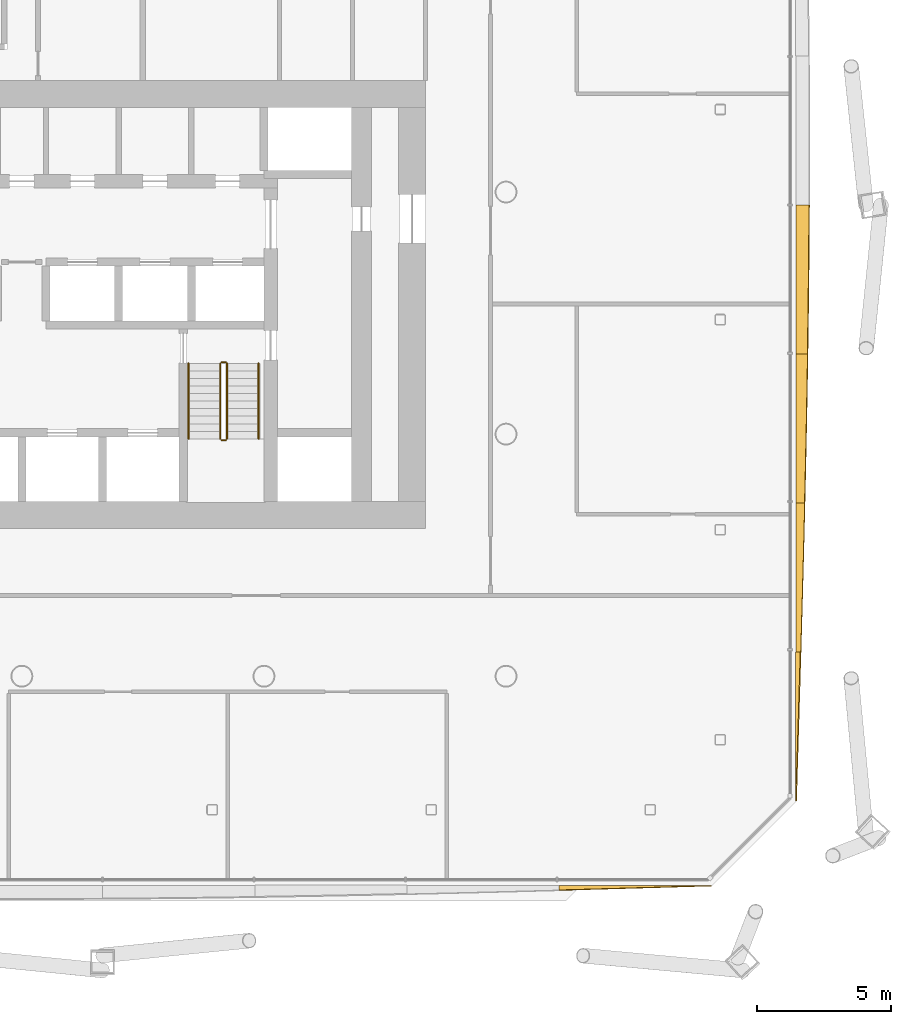
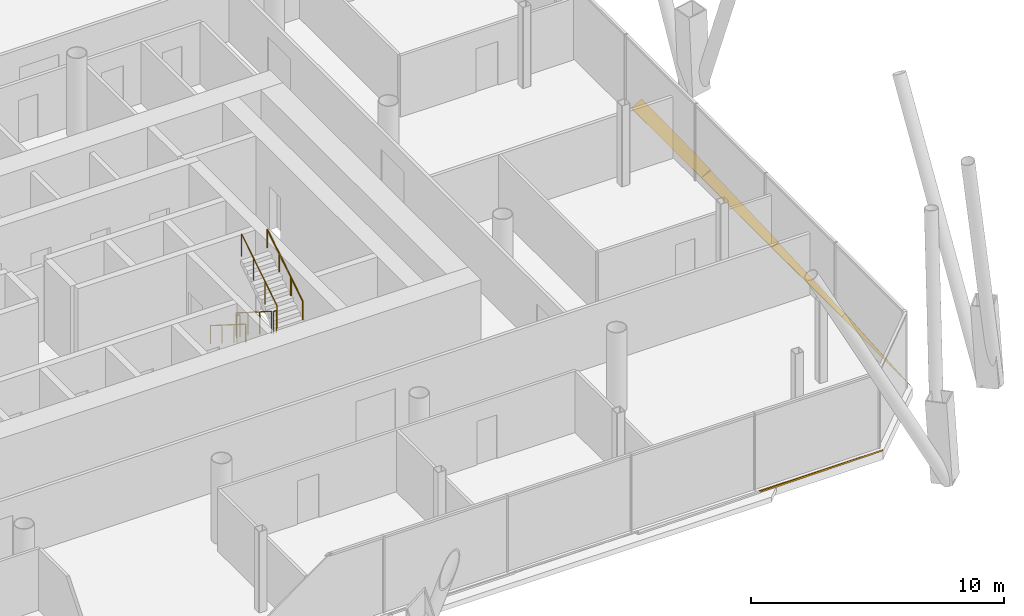
# One storey, part 19 of 23: 6 railings, 5 shading devices.
"""IFC4 building model written with IfcOpenShell, lengths in metres."""

from ifc_helpers import new_model, si_unit, direction, frame, origin, origin_2d, place, context, subcontext, project, spatial, polyline, circle, outline, extrude, material, layer, layer_set, type_object, element, save


model = new_model("IFC4")

# Units and contexts
model_context = context("Model", 3, precision=1e-05, world=origin(), true_north=direction((0.0, 1.0)))
body_context = subcontext(model_context, "Body", "Model", "MODEL_VIEW")
ifc_project = project(units=[si_unit("LENGTHUNIT", "METRE"), si_unit("AREAUNIT", "SQUARE_METRE"), si_unit("VOLUMEUNIT", "CUBIC_METRE"), si_unit("PLANEANGLEUNIT", "RADIAN"), si_unit("MASSUNIT", "GRAM", prefix="KILO")], contexts=[model_context])

# Site, building, storey
site_placement = place(None, origin())
site = spatial("IfcSite", under=ifc_project, at=site_placement, CompositionType="ELEMENT")
building_placement = place(site_placement, origin())
building = spatial("IfcBuilding", under=site, at=building_placement, Name="Tskaro Facet Tower", CompositionType="ELEMENT")
storey_placement = place(building_placement, frame((0.0, 0.0, 62.10009765625)))
storey = spatial("IfcBuildingStorey", under=building, at=storey_placement, Name="L14", CompositionType="ELEMENT", Elevation=62.10009765625)

# Shading devices
ifc_material_1 = material(Name="Bronze anodised aluminium 6063-T6", Category="aluminium")
ifc_layer = layer(ifc_material_1, 0.06005859375, Name="Bronze anodised aluminium 6063-T6")
ifc_layer_set = layer_set([ifc_layer], Name="Bronze anodised aluminium 6063-T6")
shading_device_type = type_object("IfcShadingDeviceType", Name="Bronze sun blade (FN1)", PredefinedType="USERDEFINED", material=ifc_layer_set)
shading_device_1_placement = place(storey_placement, frame((19.976318359375, -25.78369140625, 0.05419921875), z_axis=(1.750533e-06, 0.422978036947, 0.906139934148), x_axis=(0.999999999998, -7.40437e-07, -1.586228e-06)))
element("IfcShadingDevice", 1, at=shading_device_1_placement, inside=storey, type_object=shading_device_type, Name="Fin blade south 8", ObjectType="FIN", PredefinedType="USERDEFINED", context=body_context, shape_type="SweptSolid", body=[
    extrude(outline(polyline([(0.0, 0.0), (5.6586914062413305, 0.0), (4.951416015311651, -0.022713592760361036), (4.243896484325004, -0.04554514496828096), (3.536621093782589, -0.06815547160634026), (2.829345703240172, -0.09076579824439958), (2.1220703125169846, -0.11315489931259826), (1.4145507813752893, -0.1352195086886346), (0.7072753906778229, -0.15706289249481034), (-1.964351925393242e-11, -0.17890627630098604), (0.0, 0.0)])), origin(), (0.0, 0.0, -1.0), 0.06005859375),
])
shading_device_2_placement = place(storey_placement, frame((28.7705078125, -22.635009765625, 0.0458984375), z_axis=(-0.642853814851, 1.369054e-06, 0.765988885513), x_axis=(8.80102e-07, 0.999999999999, -1.04868e-06)))
element("IfcShadingDevice", 2, at=shading_device_2_placement, inside=storey, type_object=shading_device_type, Name="Fin blade east 1", ObjectType="FIN", PredefinedType="USERDEFINED", context=body_context, shape_type="SweptSolid", body=[
    extrude(outline(polyline([(0.0, 0.0), (5.5390624999948095, 0.0), (5.539062500006303, -0.21800158384186755), (4.846679687338617, -0.1916505118881543), (4.154296874968113, -0.16479853746490555), (3.461914062597608, -0.1379465630416568), (2.769531250053393, -0.1105636238757618), (2.077148437509177, -0.08318068470986678), (1.384765625006118, -0.05545378980657786), (0.692382812503059, -0.02772689490328893), (0.0, 0.0)])), origin(), (0.0, 0.0, -1.0), 0.06005859375),
])
shading_device_3_placement = place(storey_placement, frame((28.78857421875, -17.095947265625, 0.056396484375), z_axis=(-0.341738316815, -6.056952e-06, 0.939795149372), x_axis=(-2.069893e-06, 0.999999999982, 5.692294e-06)))
element("IfcShadingDevice", 3, at=shading_device_3_placement, inside=storey, type_object=shading_device_type, Name="Fin blade east 2", ObjectType="FIN", PredefinedType="USERDEFINED", context=body_context, shape_type="SweptSolid", body=[
    extrude(outline(polyline([(0.0, 0.0), (5.539306640523391, 0.0), (5.539306641038962, -0.3341089097625347), (4.846923828172108, -0.31642103669636706), (4.154296874301227, -0.2981908470736564), (3.461914062571378, -0.2792723309255139), (2.7695312504624967, -0.25981149822082833), (2.0771484374692406, -0.2400377911347436), (1.384765624602299, -0.2194923253169719), (0.6923828122407022, -0.1987174173240563), (3.8445008828868247e-10, -0.1777130671559967), (0.0, 0.0)])), origin(), (0.0, 0.0, -1.0), 0.06005859375),
])
shading_device_4_placement = place(storey_placement, frame((28.78369140625, -11.556640625, 0.05419921875), z_axis=(-0.422932185598, -6.188665e-06, 0.906161335716), x_axis=(-2.617386e-06, 0.999999999981, 5.607929e-06)))
element("IfcShadingDevice", 4, at=shading_device_4_placement, inside=storey, type_object=shading_device_type, Name="Fin blade east 3", ObjectType="FIN", PredefinedType="USERDEFINED", context=body_context, shape_type="SweptSolid", body=[
    extrude(outline(polyline([(0.0, 0.0), (5.539062499893928, 2.3458842172003865e-21), (5.539062499562145, -0.4676931516539106), (4.846679687718282, -0.45534818159984025), (4.1542968750532046, -0.4421330093049464), (3.4619140629360325, -0.42815088969735554), (2.7695312499976454, -0.41329856784894126), (2.077148437607165, -0.39767929868783), (1.384765625125582, -0.3815143130088786), (0.6923828118227827, -0.36447912508910374), (-9.32109448984395e-10, -0.34667698985663187), (0.0, 0.0)])), origin(), (0.0, 0.0, -1.0), 0.06005859375),
])
shading_device_5_placement = place(storey_placement, frame((28.779052734375, -6.017578125, 0.0517578125), z_axis=(-0.500216070902, 7.222886e-06, 0.865900619216), x_axis=(3.613004e-06, 0.999999999974, -6.254302e-06)))
element("IfcShadingDevice", 5, at=shading_device_5_placement, inside=storey, type_object=shading_device_type, Name="Fin blade east 4", ObjectType="FIN", PredefinedType="USERDEFINED", context=body_context, shape_type="SweptSolid", body=[
    extrude(outline(polyline([(0.0, 0.0), (5.539062499855514, -2.3458842172003865e-21), (5.539062500213831, -0.5579502672191612), (4.846679687123724, -0.5529238092466391), (4.154296875086081, -0.5466853760080768), (3.461914061929125, -0.5396906151502194), (2.769531250706713, -0.531695280544691), (2.0771484366008246, -0.5225208152831297), (1.3847656253115623, -0.5125571777922661), (0.6923828126657527, -0.5012922865811815), (-2.1728964462738093e-10, -0.48948246926917105), (0.0, 0.0)])), origin(), (0.0, 0.0, -1.0), 0.06005859375),
])

# Railings
ifc_material_2 = material(Name="Stainless steel", Category="steel")
railing_type_1 = type_object("IfcRailingType", Name="RL-GUARD-1100", PredefinedType="GUARDRAIL", material=ifc_material_2)
railing_1_placement = place(storey_placement, frame((7.375, -6.375, 0.17724609375)))
element("IfcRailing", 6, at=railing_1_placement, inside=storey, type_object=railing_type_1, Name="L14 ST-2 stair guard 1", PredefinedType="GUARDRAIL", context=body_context, shape_type="SweptSolid", body=[
    extrude(circle(Radius=0.02392578125, at=origin_2d()), frame((0.0, 0.0, 1.076171875), z_axis=(0.0, -0.844908973607, 0.534910110503), x_axis=(1.0, 0.0, 0.0)), (0.0, 0.0, 1.0), 3.31396484375),
    extrude(circle(Radius=0.02099609375, at=origin_2d()), origin(), (0.0, 0.0, 1.0), 1.052001953125),
    extrude(circle(Radius=0.02099609375, at=origin_2d()), frame((0.0, -0.933349609375, 0.5908203125)), (0.0, 0.0, 1.0), 1.052001953125),
    extrude(circle(Radius=0.02099609375, at=origin_2d()), frame((0.0, -1.86669921875, 1.181884765625)), (0.0, 0.0, 1.0), 1.052001953125),
    extrude(circle(Radius=0.02099609375, at=origin_2d()), frame((0.0, -2.800048828125, 1.772705078125)), (0.0, 0.0, 1.0), 1.052001953125),
])
railing_2_placement = place(storey_placement, frame((7.425048828125, -9.22509765625, 1.949951171875)))
element("IfcRailing", 7, at=railing_2_placement, inside=storey, type_object=railing_type_1, Name="L14 ST-2 stair guard 2", PredefinedType="GUARDRAIL", context=body_context, shape_type="SweptSolid", body=[
    extrude(circle(Radius=0.02392578125, at=origin_2d()), frame((0.0, 0.0, 1.076171875), z_axis=(1.0, 0.0, 0.0), x_axis=(0.0, 1.0, 0.0)), (0.0, 0.0, 1.0), 0.14990234375),
    extrude(circle(Radius=0.02099609375, at=origin_2d()), origin(), (0.0, 0.0, 1.0), 1.052001953125),
    extrude(circle(Radius=0.02099609375, at=origin_2d()), frame((0.14990234375, 0.0, 0.0)), (0.0, 0.0, 1.0), 1.052001953125),
])
railing_3_placement = place(storey_placement, frame((7.625, -9.175048828125, 2.127197265625)))
element("IfcRailing", 8, at=railing_3_placement, inside=storey, type_object=railing_type_1, Name="L14 ST-2 stair guard 3", PredefinedType="GUARDRAIL", context=body_context, shape_type="SweptSolid", body=[
    extrude(circle(Radius=0.02392578125, at=origin_2d()), frame((0.0, 0.0, 1.076171875), z_axis=(0.0, 0.844908973607, 0.534910110503), x_axis=(-1.0, 0.0, 0.0)), (0.0, 0.0, 1.0), 3.31396484375),
    extrude(circle(Radius=0.02099609375, at=origin_2d()), origin(), (0.0, 0.0, 1.0), 1.052001953125),
    extrude(circle(Radius=0.02099609375, at=origin_2d()), frame((0.0, 0.933349609375, 0.5908203125)), (0.0, 0.0, 1.0), 1.052001953125),
    extrude(circle(Radius=0.02099609375, at=origin_2d()), frame((0.0, 1.86669921875, 1.181884765625)), (0.0, 0.0, 1.0), 1.052001953125),
    extrude(circle(Radius=0.02099609375, at=origin_2d()), frame((0.0, 2.800048828125, 1.772705078125)), (0.0, 0.0, 1.0), 1.052001953125),
])
railing_4_placement = place(storey_placement, frame((7.425048828125, -6.324951171875, 0.0)))
element("IfcRailing", 9, at=railing_4_placement, inside=storey, type_object=railing_type_1, Name="L14 ST-2 stair guard 4", PredefinedType="GUARDRAIL", context=body_context, shape_type="SweptSolid", body=[
    extrude(circle(Radius=0.02392578125, at=origin_2d()), frame((0.0, 0.0, 1.076171875), z_axis=(1.0, 0.0, 0.0), x_axis=(0.0, 1.0, 0.0)), (0.0, 0.0, 1.0), 0.14990234375),
    extrude(circle(Radius=0.02099609375, at=origin_2d()), origin(), (0.0, 0.0, 1.0), 1.052001953125),
    extrude(circle(Radius=0.02099609375, at=origin_2d()), frame((0.14990234375, 0.0, 0.0)), (0.0, 0.0, 1.0), 1.052001953125),
])
railing_type_2 = type_object("IfcRailingType", Name="RL-HANDRAIL-900", PredefinedType="HANDRAIL", material=ifc_material_2)
railing_5_placement = place(storey_placement, frame((6.199951171875, -6.375, 0.17724609375)))
element("IfcRailing", 10, at=railing_5_placement, inside=storey, type_object=railing_type_2, Name="L14 ST-2 stair handrail 1", PredefinedType="HANDRAIL", context=body_context, shape_type="SweptSolid", body=[
    extrude(circle(Radius=0.02392578125, at=origin_2d()), frame((0.0, 0.0, 0.8759765625), z_axis=(0.0, -0.844908973607, 0.534910110503), x_axis=(1.0, 0.0, 0.0)), (0.0, 0.0, 1.0), 3.31396484375),
    extrude(circle(Radius=0.02099609375, at=origin_2d()), origin(), (0.0, 0.0, 1.0), 0.851806640625),
    extrude(circle(Radius=0.02099609375, at=origin_2d()), frame((0.0, -0.933349609375, 0.5908203125)), (0.0, 0.0, 1.0), 0.851806640625),
    extrude(circle(Radius=0.02099609375, at=origin_2d()), frame((0.0, -1.86669921875, 1.181884765625)), (0.0, 0.0, 1.0), 0.851806640625),
    extrude(circle(Radius=0.02099609375, at=origin_2d()), frame((0.0, -2.800048828125, 1.772705078125)), (0.0, 0.0, 1.0), 0.851806640625),
])
railing_6_placement = place(storey_placement, frame((8.800048828125, -9.175048828125, 2.127197265625)))
element("IfcRailing", 11, at=railing_6_placement, inside=storey, type_object=railing_type_2, Name="L14 ST-2 stair handrail 2", PredefinedType="HANDRAIL", context=body_context, shape_type="SweptSolid", body=[
    extrude(circle(Radius=0.02392578125, at=origin_2d()), frame((0.0, 0.0, 0.8759765625), z_axis=(0.0, 0.844908973607, 0.534910110503), x_axis=(-1.0, 0.0, 0.0)), (0.0, 0.0, 1.0), 3.31396484375),
    extrude(circle(Radius=0.02099609375, at=origin_2d()), origin(), (0.0, 0.0, 1.0), 0.851806640625),
    extrude(circle(Radius=0.02099609375, at=origin_2d()), frame((0.0, 0.933349609375, 0.5908203125)), (0.0, 0.0, 1.0), 0.851806640625),
    extrude(circle(Radius=0.02099609375, at=origin_2d()), frame((0.0, 1.86669921875, 1.181884765625)), (0.0, 0.0, 1.0), 0.851806640625),
    extrude(circle(Radius=0.02099609375, at=origin_2d()), frame((0.0, 2.800048828125, 1.772705078125)), (0.0, 0.0, 1.0), 0.851806640625),
])

save(model, "model.ifc")
